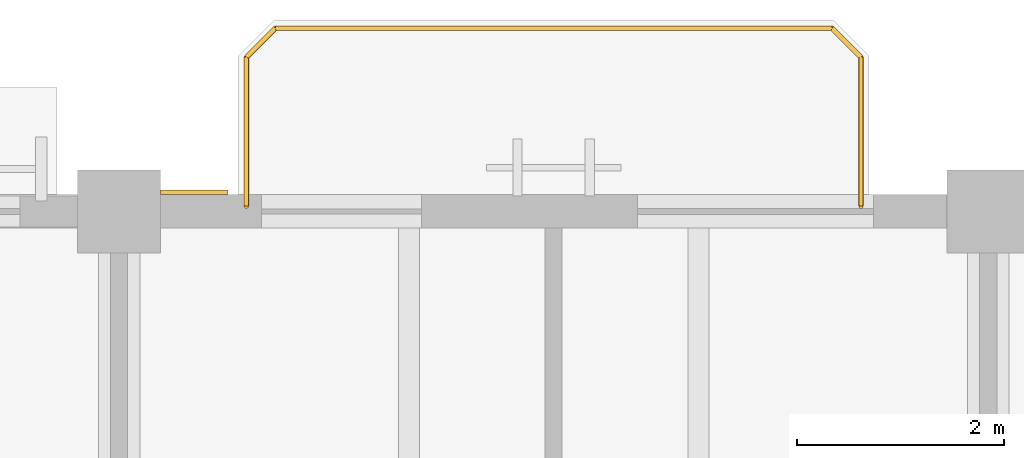
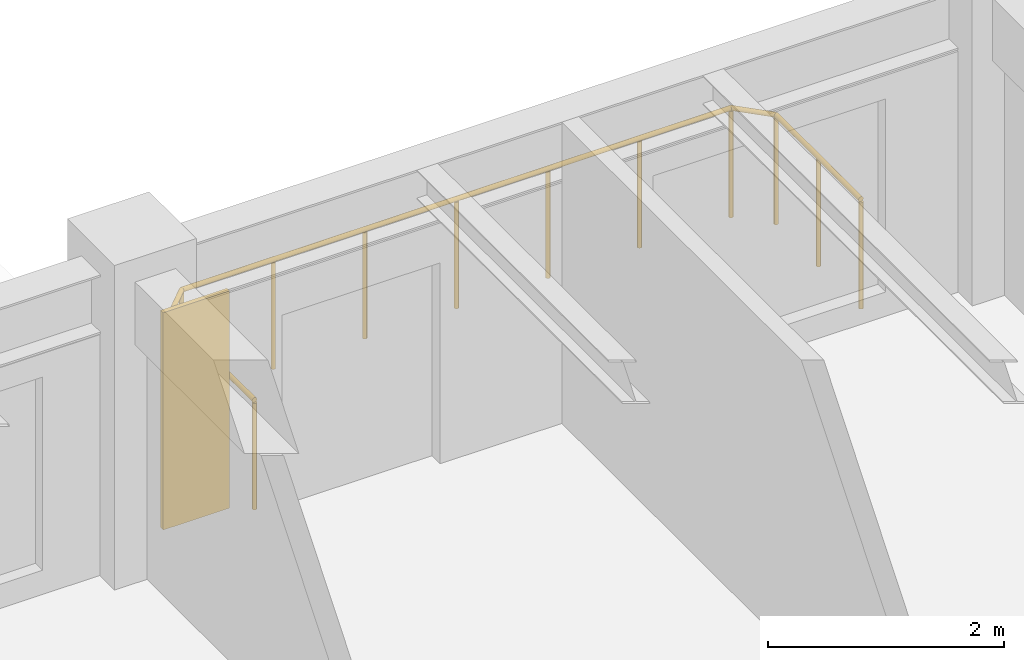
# One storey, part 117 of 123: 1 covering, 1 railing.
"""IFC4 building model written with IfcOpenShell, lengths in metres."""

import ifcopenshell
import ifcopenshell.guid

model = None  # the IFC model being written
_history = None  # IfcOwnerHistory: only IFC2X3 demands one
_inside = {}  # id of a spatial element -> (the spatial element, [elements in it])
_under = {}  # id of a project, library or spatial element -> (it, [spatial elements below it])
_declared = {}  # id of a project -> (the project, [libraries it declares])
_typed = {}  # id of a type object -> (the type object, [elements of that type])
_made_of = {}  # id of a material, layer set ... -> (it, [elements and type objects made of it])


def new_model(schema):
    """Start an empty IFC model of exactly this schema.

    Asked for "IFC4X3", IfcOpenShell would pick the latest addendum, in which some entities
    have other attributes; the version numbers below select the first issue.
    IFC2X3 requires an IfcOwnerHistory on every rooted entity: one is made here for all.
    """
    global model, _history
    if schema == "IFC4X3":
        model = ifcopenshell.file(schema_version=(4, 3, 0, 0))
    else:
        model = ifcopenshell.file(schema=schema)
    _inside.clear()
    _under.clear()
    _declared.clear()
    _typed.clear()
    _made_of.clear()
    _history = None
    if model.schema == "IFC2X3":
        org = make("IfcOrganization", Name="unknown")
        user = make(
            "IfcPersonAndOrganization",
            ThePerson=make("IfcPerson", FamilyName="unknown"),
            TheOrganization=org,
        )
        app = make(
            "IfcApplication",
            ApplicationDeveloper=org,
            Version="unknown",
            ApplicationFullName="unknown",
            ApplicationIdentifier="unknown",
        )
        _history = make(
            "IfcOwnerHistory",
            OwningUser=user,
            OwningApplication=app,
            ChangeAction="ADDED",
            CreationDate=0,
        )
    return model


def make(cls, **values):
    """One entity of the class cls with the attributes given. An attribute that is None is left unset."""
    return model.create_entity(
        cls, **{name: value for name, value in values.items() if value is not None}
    )


def rooted(cls, **values):
    """An entity with a GlobalId (a new one), such as an element, a storey or a relation."""
    return make(cls, GlobalId=ifcopenshell.guid.new(), OwnerHistory=_history, **values)


def si_unit(unit_type, name, prefix=None):
    """IfcSIUnit, for example si_unit("LENGTHUNIT", "METRE", prefix="MILLI")."""
    return make("IfcSIUnit", UnitType=unit_type, Prefix=prefix, Name=name)


def assignment(units):
    """IfcUnitAssignment: the units of a project."""
    return None if units is None else make("IfcUnitAssignment", Units=units)


def point(xyz):
    """IfcCartesianPoint."""
    return None if xyz is None else make("IfcCartesianPoint", Coordinates=xyz)


def direction(xyz):
    """IfcDirection."""
    return None if xyz is None else make("IfcDirection", DirectionRatios=xyz)


def frame(location, z_axis=None, x_axis=None):
    """IfcAxis2Placement3D, a coordinate frame: its origin and axes. An axis left out is left unset."""
    return make(
        "IfcAxis2Placement3D",
        Location=point(location),
        Axis=direction(z_axis),
        RefDirection=direction(x_axis),
    )


def frame_2d(location, x_axis=None):
    """IfcAxis2Placement2D, a coordinate frame in the plane: its origin and x axis."""
    return make(
        "IfcAxis2Placement2D", Location=point(location), RefDirection=direction(x_axis)
    )


def origin():
    """The frame at (0, 0, 0) with its axes left unset."""
    return frame((0.0, 0.0, 0.0))


def origin_2d():
    """The frame at (0, 0) in the plane with its x axis left unset."""
    return frame_2d((0.0, 0.0))


def place(relative_to, where):
    """IfcLocalPlacement: puts the frame where relative to a parent placement (None: the world)."""
    return make(
        "IfcLocalPlacement", PlacementRelTo=relative_to, RelativePlacement=where
    )


def context(
    kind, dimensions, precision=None, world=None, true_north=None, identifier=None
):
    """IfcGeometricRepresentationContext, for example the 3D "Model" context."""
    return make(
        "IfcGeometricRepresentationContext",
        ContextIdentifier=identifier,
        ContextType=kind,
        CoordinateSpaceDimension=dimensions,
        Precision=precision,
        WorldCoordinateSystem=world,
        TrueNorth=true_north,
    )


def subcontext(parent, identifier, kind, view, scale=None):
    """IfcGeometricRepresentationSubContext, for example "Body" below "Model"."""
    return make(
        "IfcGeometricRepresentationSubContext",
        ContextIdentifier=identifier,
        ContextType=kind,
        ParentContext=parent,
        TargetScale=scale,
        TargetView=view,
    )


def project(units=None, contexts=None):
    """IfcProject with its units and contexts."""
    return rooted(
        "IfcProject",
        Name="project",
        RepresentationContexts=contexts,
        UnitsInContext=assignment(units),
    )


def spatial(cls, under=None, at=None, **own):
    """A site, building, storey or space (cls), placed at a placement, below another one or the project."""
    s = rooted(cls, ObjectPlacement=at, **own)
    if under is not None:
        _under.setdefault(under.id(), (under, []))[1].append(s)
    return s


def polyline(points):
    """IfcPolyline through the points."""
    return make("IfcPolyline", Points=[point(p) for p in points])


def profile(cls, at=None, kind="AREA", **sizes):
    """A parametric profile (cls). Its sizes go by their IFC names, for example OverallWidth=200.0."""
    return make(cls, ProfileType=kind, Position=at, **sizes)


def circle(**sizes):
    """IfcCircleProfileDef."""
    return profile("IfcCircleProfileDef", **sizes)


def outline(outer, holes=None, kind="AREA"):
    """IfcArbitraryClosedProfileDef: a profile drawn as a closed curve; with holes, ...WithVoids."""
    if holes is None:
        return make("IfcArbitraryClosedProfileDef", ProfileType=kind, OuterCurve=outer)
    return make(
        "IfcArbitraryProfileDefWithVoids",
        ProfileType=kind,
        OuterCurve=outer,
        InnerCurves=holes,
    )


def extrude(swept, where, along, depth):
    """IfcExtrudedAreaSolid: the profile swept, set in the frame where, extruded along a direction by depth."""
    return make(
        "IfcExtrudedAreaSolid",
        SweptArea=swept,
        Position=where,
        ExtrudedDirection=direction(along),
        Depth=depth,
    )


def shape(context_of_items, identifier, shape_type, items):
    """IfcShapeRepresentation: the items that make up one representation, for example the "Body"."""
    return make(
        "IfcShapeRepresentation",
        ContextOfItems=context_of_items,
        RepresentationIdentifier=identifier,
        RepresentationType=shape_type,
        Items=items,
    )


def material(Name=None, Category=None):
    """IfcMaterial."""
    return make("IfcMaterial", Name=Name, Category=Category)


def layer(
    of_material, thickness, ventilated=None, Name=None, Category=None, Priority=None
):
    """IfcMaterialLayer: one layer of a wall or slab, of a material (None: an air gap)."""
    return make(
        "IfcMaterialLayer",
        Material=of_material,
        LayerThickness=thickness,
        IsVentilated=ventilated,
        Name=Name,
        Category=Category,
        Priority=Priority,
    )


def layer_set(layers, Name=None):
    """IfcMaterialLayerSet."""
    return make("IfcMaterialLayerSet", MaterialLayers=layers, LayerSetName=Name)


def made_of(thing, what):
    """Note that an element or type object is made of a material, layer set ...; save() writes the relation."""
    if what is not None:
        _made_of.setdefault(what.id(), (what, []))[1].append(thing)
    return thing


def type_object(cls, material=None, **own):
    """A type object (cls), such as IfcWallType, which elements share."""
    return made_of(rooted(cls, **own), material)


def element(
    cls,
    number,
    at=None,
    inside=None,
    cuts=None,
    type_object=None,
    material=None,
    context=None,
    identifier="Body",
    shape_type=None,
    held_by="IfcProductDefinitionShape",
    body=None,
    shapes=None,
    **own,
):
    """One element of the class cls, such as IfcWall. Its Tag is "e" and its number.

    at: its placement. inside: the storey or other place that contains it. cuts: it is an
    opening in that element (IfcRelVoidsElement). A single representation is given by context,
    identifier, shape_type and body (its items); several are given by shapes. held_by: the class
    of the entity that holds the representations. save() writes the other relations.
    """
    e = rooted(cls, Tag="e%d" % number, ObjectPlacement=at, **own)
    if body is not None:
        shapes = [shape(context, identifier, shape_type, body)]
    if shapes is not None:
        e.Representation = make(held_by, Representations=shapes)
    if inside is not None:
        _inside.setdefault(inside.id(), (inside, []))[1].append(e)
    if cuts is not None:
        rooted(
            "IfcRelVoidsElement", RelatingBuildingElement=cuts, RelatedOpeningElement=e
        )
    if type_object is not None:
        _typed.setdefault(type_object.id(), (type_object, []))[1].append(e)
    return made_of(e, material)


def aggregate(whole, parts):
    """IfcRelAggregates: a whole, such as a stair, and the parts it consists of."""
    return rooted("IfcRelAggregates", RelatingObject=whole, RelatedObjects=parts)


def save(model, path):
    """Write the relations noted so far, then the file.

    IfcRelAggregates (storeys below a building ...), IfcRelContainedInSpatialStructure (elements
    in a storey), IfcRelDefinesByType, IfcRelAssociatesMaterial and IfcRelDeclares: one each for
    every whole, place, type object, material and project.
    """
    for whole, parts in _under.values():
        aggregate(whole, parts)
    for where, things in _inside.values():
        rooted(
            "IfcRelContainedInSpatialStructure",
            RelatedElements=things,
            RelatingStructure=where,
        )
    for kind, things in _typed.values():
        rooted("IfcRelDefinesByType", RelatedObjects=things, RelatingType=kind)
    for what, things in _made_of.values():
        rooted("IfcRelAssociatesMaterial", RelatedObjects=things, RelatingMaterial=what)
    for by, libraries in _declared.values():
        rooted("IfcRelDeclares", RelatingContext=by, RelatedDefinitions=libraries)
    model.write(path)


model = new_model("IFC4")

# Units and contexts
model_context = context("Model", 3, precision=1e-05, world=origin(), true_north=direction((0.0, 1.0)))
body_context = subcontext(model_context, "Body", "Model", "MODEL_VIEW")
ifc_project = project(units=[si_unit("LENGTHUNIT", "METRE"), si_unit("AREAUNIT", "SQUARE_METRE"), si_unit("VOLUMEUNIT", "CUBIC_METRE"), si_unit("PLANEANGLEUNIT", "RADIAN"), si_unit("MASSUNIT", "GRAM", prefix="KILO")], contexts=[model_context])

# Site, building, storey
site_placement = place(None, origin())
site = spatial("IfcSite", under=ifc_project, at=site_placement, CompositionType="ELEMENT")
building_placement = place(site_placement, origin())
building = spatial("IfcBuilding", under=site, at=building_placement, Name="Cumbredor Promenade Congress Hotel", CompositionType="ELEMENT")
storey_placement = place(building_placement, frame((0.0, 0.0, 11.760009765625)))
storey = spatial("IfcBuildingStorey", under=building, at=storey_placement, Name="L03", CompositionType="ELEMENT", Elevation=11.760009765625)

# Covering
ifc_material_1 = material(Name="Precast concrete C40/50", Category="concrete")
ifc_layer = layer(ifc_material_1, 0.044921875, Name="Precast concrete C40/50", Category="concrete")
ifc_layer_set = layer_set([ifc_layer], Name="Precast concrete C40/50")
covering_type = type_object("IfcCoveringType", Name="Board-Formed Architectural Cladding Panel 45mm", PredefinedType="CLADDING", material=ifc_layer_set)
covering_placement = place(storey_placement, origin())
element("IfcCovering", 1, at=covering_placement, inside=storey, type_object=covering_type, Name="L03 Facade Stone Cladding Pier 158", PredefinedType="CLADDING", context=body_context, shape_type="SweptSolid", body=[
    extrude(outline(polyline([(50.801025390625, 117.762451171875), (51.450927734375, 117.762451171875), (51.450927734375, 117.8076171875), (50.801025390625, 117.8076171875), (50.801025390625, 117.762451171875)])), origin(), (0.0, 0.0, 1.0), 2.25),
])

# Railing
ifc_material_2 = material(Name="Brushed stainless steel", Category="steel")
railing_type = type_object("IfcRailingType", Name="Sky Garden Glass-and-Steel Balustrade BAL-1150", PredefinedType="BALUSTRADE", material=ifc_material_2)
railing_placement = place(storey_placement, frame((51.6298828125, 117.64990234375, 0.0)))
element("IfcRailing", 2, at=railing_placement, inside=storey, type_object=railing_type, Name="L03 Veranda Balcony Balustrade 014", PredefinedType="BALUSTRADE", context=body_context, shape_type="SweptSolid", body=[
    extrude(circle(Radius=0.02392578125, at=origin_2d()), frame((0.0, 0.0, 1.1259765625), z_axis=(0.0, 1.0, 0.0), x_axis=(-1.0, 0.0, 0.0)), (0.0, 0.0, 1.0), 1.440185546875),
    extrude(circle(Radius=0.02392578125, at=origin_2d()), frame((0.0, 1.440185546875, 1.1259765625), z_axis=(0.707106781187, 0.707106781187, 0.0), x_axis=(-0.707106781187, 0.707106781187, 0.0)), (0.0, 0.0, 1.0), 0.39599609375),
    extrude(circle(Radius=0.02392578125, at=origin_2d()), frame((0.280029296875, 1.72021484375, 1.1259765625), z_axis=(1.0, 0.0, 0.0), x_axis=(0.0, 1.0, 0.0)), (0.0, 0.0, 1.0), 5.380126953125),
    extrude(circle(Radius=0.02392578125, at=origin_2d()), frame((5.66015625, 1.72021484375, 1.1259765625), z_axis=(0.707106781187, -0.707106781187, 0.0), x_axis=(0.707106781187, 0.707106781187, 0.0)), (0.0, 0.0, 1.0), 0.39599609375),
    extrude(circle(Radius=0.02392578125, at=origin_2d()), frame((5.940185546875, 1.440185546875, 1.1259765625), z_axis=(0.0, -1.0, 0.0), x_axis=(1.0, 0.0, 0.0)), (0.0, 0.0, 1.0), 1.440185546875),
    extrude(circle(Radius=0.02099609375, at=origin_2d()), origin(), (0.0, 0.0, 1.0), 1.101806640625),
    extrude(circle(Radius=0.02099609375, at=origin_2d()), frame((0.0, 0.72021484375, 0.0)), (0.0, 0.0, 1.0), 1.101806640625),
    extrude(circle(Radius=0.02099609375, at=origin_2d()), frame((0.0, 1.440185546875, 0.0)), (0.0, 0.0, 1.0), 1.101806640625),
    extrude(circle(Radius=0.02099609375, at=origin_2d()), frame((0.280029296875, 1.72021484375, 0.0)), (0.0, 0.0, 1.0), 1.101806640625),
    extrude(circle(Radius=0.02099609375, at=origin_2d()), frame((1.1767578125, 1.72021484375, 0.0)), (0.0, 0.0, 1.0), 1.101806640625),
    extrude(circle(Radius=0.02099609375, at=origin_2d()), frame((2.073486328125, 1.72021484375, 0.0)), (0.0, 0.0, 1.0), 1.101806640625),
    extrude(circle(Radius=0.02099609375, at=origin_2d()), frame((2.97021484375, 1.72021484375, 0.0)), (0.0, 0.0, 1.0), 1.101806640625),
    extrude(circle(Radius=0.02099609375, at=origin_2d()), frame((3.86669921875, 1.72021484375, 0.0)), (0.0, 0.0, 1.0), 1.101806640625),
    extrude(circle(Radius=0.02099609375, at=origin_2d()), frame((4.763427734375, 1.72021484375, 0.0)), (0.0, 0.0, 1.0), 1.101806640625),
    extrude(circle(Radius=0.02099609375, at=origin_2d()), frame((5.66015625, 1.72021484375, 0.0)), (0.0, 0.0, 1.0), 1.101806640625),
    extrude(circle(Radius=0.02099609375, at=origin_2d()), frame((5.940185546875, 1.440185546875, 0.0)), (0.0, 0.0, 1.0), 1.101806640625),
    extrude(circle(Radius=0.02099609375, at=origin_2d()), frame((5.940185546875, 0.72021484375, 0.0)), (0.0, 0.0, 1.0), 1.101806640625),
    extrude(circle(Radius=0.02099609375, at=origin_2d()), frame((5.940185546875, 0.0, 0.0)), (0.0, 0.0, 1.0), 1.101806640625),
])

save(model, "model.ifc")
